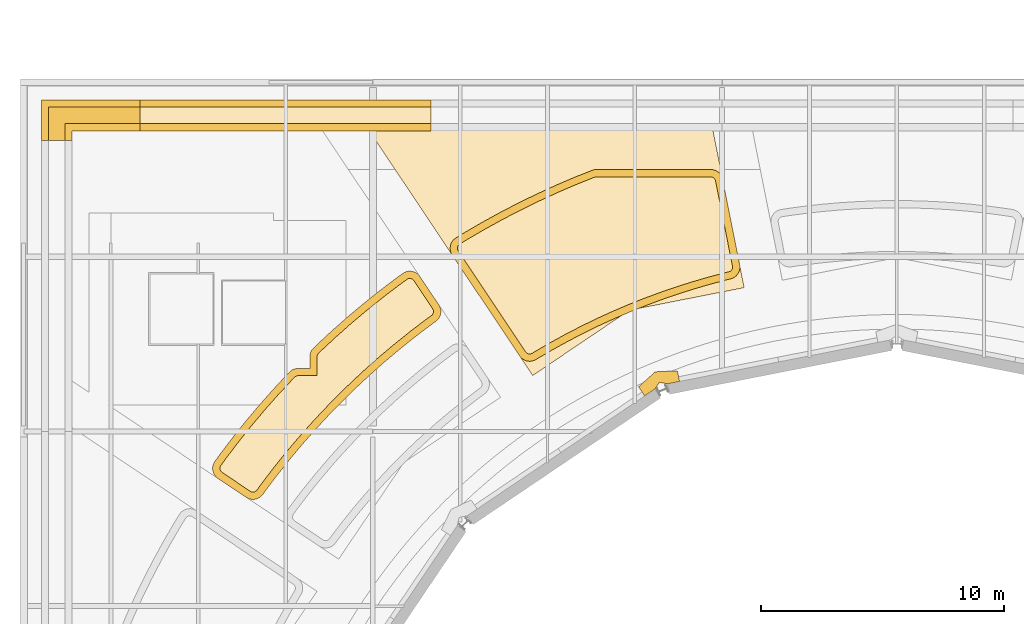
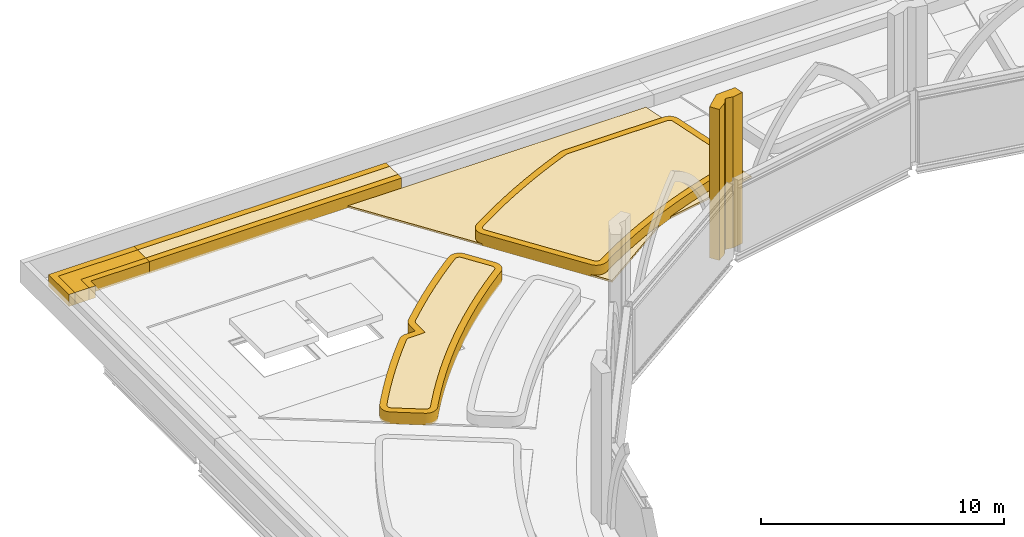
# One storey, part 95 of 110: 12 coverings.
"""IFC4 building model written with IfcOpenShell, lengths in metres."""

from ifc_helpers import new_model, si_unit, direction, frame, origin, place, context, subcontext, project, spatial, polyline, outline, extrude, material, layer, layer_set, type_object, element, save


model = new_model("IFC4")

# Units and contexts
model_context = context("Model", 3, precision=1e-05, world=origin(), true_north=direction((0.0, 1.0)))
body_context = subcontext(model_context, "Body", "Model", "MODEL_VIEW")
ifc_project = project(units=[si_unit("LENGTHUNIT", "METRE"), si_unit("AREAUNIT", "SQUARE_METRE"), si_unit("VOLUMEUNIT", "CUBIC_METRE"), si_unit("PLANEANGLEUNIT", "RADIAN"), si_unit("MASSUNIT", "GRAM", prefix="KILO")], contexts=[model_context])

# Site, building, storey
site_placement = place(None, origin())
site = spatial("IfcSite", under=ifc_project, at=site_placement, CompositionType="ELEMENT")
building_placement = place(site_placement, origin())
building = spatial("IfcBuilding", under=site, at=building_placement, Name="Kupolbacken Congress Centre", CompositionType="ELEMENT")
storey_placement = place(building_placement, frame((0.0, 0.0, 18.0)))
storey = spatial("IfcBuildingStorey", under=building, at=storey_placement, Name="L05", CompositionType="ELEMENT", Elevation=18.0)

# Coverings
ifc_material_1 = material(Name="Limestone cladding", Category="masonry")
ifc_layer_1 = layer(ifc_material_1, 0.60009765625)
ifc_layer_set_1 = layer_set([ifc_layer_1], Name="Limestone cladding")
covering_type_1 = type_object("IfcCoveringType", Name="CV5 limestone arcade pier 600", PredefinedType="CLADDING", material=ifc_layer_set_1)
covering_1_placement = place(storey_placement, origin())
element("IfcCovering", 1, at=covering_1_placement, inside=storey, type_object=covering_type_1, Name="Bed kerb, plenary wing roof", PredefinedType="CLADDING", context=body_context, shape_type="SweptSolid", body=[
    extrude(outline(polyline([(9.202392578125, 120.3974609375), (9.202392578125, 120.0), (8.902587890625, 120.0), (8.902587890625, 120.697509765625), (12.0, 120.697509765625), (12.0, 120.3974609375), (9.202392578125, 120.3974609375)])), origin(), (0.0, 0.0, 1.0), 0.60009765625),
])
covering_2_placement = place(storey_placement, origin())
element("IfcCovering", 2, at=covering_2_placement, inside=storey, type_object=covering_type_1, Name="Bed kerb, plenary wing roof", PredefinedType="CLADDING", context=body_context, shape_type="SweptSolid", body=[
    extrude(outline(polyline([(7.929931640625, 121.669921875), (12.0, 121.669921875), (12.0, 121.3701171875), (8.22998046875, 121.3701171875), (8.22998046875, 120.0), (7.929931640625, 120.0), (7.929931640625, 121.669921875)])), origin(), (0.0, 0.0, 1.0), 0.60009765625),
])
covering_3_placement = place(storey_placement, origin())
element("IfcCovering", 3, at=covering_3_placement, inside=storey, type_object=covering_type_1, Name="Bed kerb, plenary wing roof", PredefinedType="CLADDING", context=body_context, shape_type="SweptSolid", body=[
    extrude(outline(polyline([(12.0, 120.3974609375), (12.0, 120.697509765625), (24.0, 120.697509765625), (24.0, 120.3974609375), (12.0, 120.3974609375)])), origin(), (0.0, 0.0, 1.0), 0.60009765625),
])
covering_4_placement = place(storey_placement, origin())
element("IfcCovering", 4, at=covering_4_placement, inside=storey, type_object=covering_type_1, Name="Bed kerb, plenary wing roof", PredefinedType="CLADDING", context=body_context, shape_type="SweptSolid", body=[
    extrude(outline(polyline([(24.0, 121.669921875), (24.0, 121.3701171875), (12.0, 121.3701171875), (12.0, 121.669921875), (24.0, 121.669921875)])), origin(), (0.0, 0.0, 1.0), 0.60009765625),
])
covering_5_placement = place(storey_placement, origin())
element("IfcCovering", 5, at=covering_5_placement, inside=storey, type_object=covering_type_1, Name="Bed kerb, plenary wing roof", PredefinedType="CLADDING", context=body_context, shape_type="SweptSolid", body=[
    extrude(outline(polyline([(24.84375, 115.318115234375), (24.822509765625, 115.363525390625), (24.8056640625, 115.410888671875), (24.7939453125, 115.459716796875), (24.787109375, 115.509521484375), (24.78515625, 115.5595703125), (24.78857421875, 115.609619140625), (24.796630859375, 115.6591796875), (24.809814453125, 115.707763671875), (24.827880859375, 115.754638671875), (24.850341796875, 115.79931640625), (24.877197265625, 115.841796875), (24.908447265625, 115.88134765625), (24.943115234375, 115.91748046875), (24.9814453125, 115.949951171875), (25.02294921875, 115.978271484375), (25.34521484375, 116.177001953125), (25.355712890625, 116.183349609375), (26.081298828125, 116.606201171875), (26.092041015625, 116.6123046875), (26.827880859375, 117.01708984375), (26.838623046875, 117.02294921875), (27.583984375, 117.40966796875), (27.59521484375, 117.415283203125), (28.349853515625, 117.78369140625), (28.361083984375, 117.788818359375), (29.12451171875, 118.138671875), (29.1357421875, 118.1435546875), (29.90771484375, 118.474609375), (29.9189453125, 118.479248046875), (30.62548828125, 118.76171875), (30.67041015625, 118.77734375), (30.716796875, 118.78857421875), (30.763916015625, 118.795166015625), (30.811279296875, 118.797607421875), (35.530517578125, 118.797607421875), (35.57958984375, 118.795166015625), (35.6279296875, 118.787841796875), (35.675537109375, 118.77587890625), (35.7216796875, 118.759521484375), (35.76611328125, 118.738525390625), (35.80810546875, 118.713134765625), (35.84765625, 118.68408203125), (35.884033203125, 118.65087890625), (35.9169921875, 118.61474609375), (35.9462890625, 118.5751953125), (35.971435546875, 118.533203125), (35.992431640625, 118.48876953125), (36.0087890625, 118.442626953125), (36.020751953125, 118.39501953125), (36.721435546875, 114.872802734375), (36.728515625, 114.825439453125), (36.73095703125, 114.777587890625), (36.72900390625, 114.7294921875), (36.722412109375, 114.68212890625), (36.711181640625, 114.635498046875), (36.695556640625, 114.59033203125), (36.67578125, 114.546630859375), (36.65185546875, 114.505126953125), (36.6240234375, 114.466064453125), (36.592529296875, 114.429931640625), (36.557861328125, 114.39697265625), (36.52001953125, 114.3671875), (36.479736328125, 114.341552734375), (36.43701171875, 114.319580078125), (36.392578125, 114.302001953125), (36.346435546875, 114.288818359375), (36.224609375, 114.259765625), (36.21875, 114.25830078125), (35.54296875, 114.080078125), (35.537109375, 114.07861328125), (34.865966796875, 113.884033203125), (34.860107421875, 113.882080078125), (34.194091796875, 113.671142578125), (34.188232421875, 113.669189453125), (33.527587890625, 113.44189453125), (33.521728515625, 113.43994140625), (32.86669921875, 113.1962890625), (32.861083984375, 113.194091796875), (32.21240234375, 112.934814453125), (32.20654296875, 112.932373046875), (31.564453125, 112.656982421875), (31.558837890625, 112.654541015625), (30.923583984375, 112.36376953125), (30.91796875, 112.361083984375), (30.2900390625, 112.0546875), (30.284423828125, 112.0517578125), (29.664306640625, 111.72998046875), (29.658935546875, 111.72705078125), (29.046875, 111.39013671875), (29.04150390625, 111.38720703125), (28.437744140625, 111.035400390625), (28.4326171875, 111.0322265625), (28.326904296875, 110.967041015625), (28.284912109375, 110.944091796875), (28.240966796875, 110.9248046875), (28.1953125, 110.91015625), (28.148681640625, 110.89990234375), (28.10107421875, 110.89404296875), (28.052978515625, 110.892822265625), (28.00537109375, 110.896240234375), (27.9580078125, 110.904296875), (27.911865234375, 110.916748046875), (27.866943359375, 110.93359375), (27.82373046875, 110.95458984375), (27.782958984375, 110.979736328125), (27.74462890625, 111.008544921875), (27.70947265625, 111.041015625), (27.677490234375, 111.076416015625), (27.64892578125, 111.114990234375), (24.869384765625, 115.27490234375), (24.84375, 115.318115234375)]), holes=[polyline([(27.894287109375, 111.28759765625), (27.909912109375, 111.2666015625), (27.9228515625, 111.252197265625), (27.93701171875, 111.239501953125), (27.9521484375, 111.227783203125), (27.968505859375, 111.2177734375), (27.985595703125, 111.20947265625), (28.003662109375, 111.20263671875), (28.02197265625, 111.19775390625), (28.041015625, 111.194580078125), (28.06005859375, 111.193115234375), (28.0791015625, 111.193603515625), (28.09814453125, 111.196044921875), (28.11669921875, 111.2001953125), (28.135009765625, 111.2060546875), (28.152587890625, 111.213623046875), (28.175537109375, 111.226318359375), (28.276611328125, 111.28857421875), (28.28515625, 111.293701171875), (28.891845703125, 111.647216796875), (28.900390625, 111.652099609375), (29.515869140625, 111.99072265625), (29.5244140625, 111.99560546875), (30.14794921875, 112.31884765625), (30.15673828125, 112.323486328125), (30.7880859375, 112.631591796875), (30.796875, 112.6357421875), (31.435546875, 112.92822265625), (31.444580078125, 112.93212890625), (32.090087890625, 113.208984375), (32.09912109375, 113.212646484375), (32.75146484375, 113.473388671875), (32.760498046875, 113.47705078125), (33.4189453125, 113.7216796875), (33.42822265625, 113.72509765625), (34.09228515625, 113.95361328125), (34.101806640625, 113.95654296875), (34.771240234375, 114.168701171875), (34.78076171875, 114.171630859375), (35.455322265625, 114.3671875), (35.46484375, 114.369873046875), (36.14404296875, 114.548828125), (36.153564453125, 114.55126953125), (36.270263671875, 114.5791015625), (36.29541015625, 114.586181640625), (36.313232421875, 114.59326171875), (36.330322265625, 114.60205078125), (36.346435546875, 114.6123046875), (36.361572265625, 114.6240234375), (36.37548828125, 114.63720703125), (36.387939453125, 114.65185546875), (36.39892578125, 114.66748046875), (36.40869140625, 114.68408203125), (36.41650390625, 114.701416015625), (36.422607421875, 114.719482421875), (36.42724609375, 114.738037109375), (36.4296875, 114.757080078125), (36.4306640625, 114.776123046875), (36.4296875, 114.795166015625), (36.42578125, 114.8212890625), (35.72802734375, 118.329345703125), (35.721435546875, 118.35546875), (35.71484375, 118.373779296875), (35.70654296875, 118.3916015625), (35.6962890625, 118.408447265625), (35.684814453125, 118.424072265625), (35.671630859375, 118.438720703125), (35.656982421875, 118.451904296875), (35.641357421875, 118.46337890625), (35.62451171875, 118.4736328125), (35.606689453125, 118.48193359375), (35.58837890625, 118.488525390625), (35.5693359375, 118.493408203125), (35.550048828125, 118.49609375), (35.523193359375, 118.49755859375), (30.818359375, 118.49755859375), (30.792236328125, 118.496337890625), (30.7734375, 118.49365234375), (30.7548828125, 118.489013671875), (30.730224609375, 118.480712890625), (30.031982421875, 118.201416015625), (30.024169921875, 118.197998046875), (29.255615234375, 117.86865234375), (29.247802734375, 117.864990234375), (28.487548828125, 117.516845703125), (28.479736328125, 117.51318359375), (27.728271484375, 117.146484375), (27.720703125, 117.142578125), (26.978515625, 116.757568359375), (26.970947265625, 116.75341796875), (26.23828125, 116.350341796875), (26.230712890625, 116.345947265625), (25.50830078125, 115.925048828125), (25.5009765625, 115.920654296875), (25.186767578125, 115.726806640625), (25.1640625, 115.711181640625), (25.148681640625, 115.6982421875), (25.134765625, 115.683837890625), (25.122314453125, 115.668212890625), (25.111572265625, 115.651123046875), (25.1025390625, 115.63330078125), (25.095458984375, 115.614501953125), (25.090087890625, 115.59521484375), (25.0869140625, 115.575439453125), (25.085693359375, 115.555419921875), (25.086181640625, 115.535400390625), (25.089111328125, 115.515380859375), (25.09375, 115.49609375), (25.100341796875, 115.47705078125), (25.10888671875, 115.458984375), (25.123046875, 115.435302734375), (27.894287109375, 111.28759765625)])]), origin(), (0.0, 0.0, 1.0), 0.60009765625),
])
covering_6_placement = place(storey_placement, origin())
element("IfcCovering", 6, at=covering_6_placement, inside=storey, type_object=covering_type_1, Name="Bed kerb, plenary wing roof", PredefinedType="CLADDING", context=body_context, shape_type="SweptSolid", body=[
    extrude(outline(polyline([(15.173583984375, 106.0908203125), (15.13671875, 106.124755859375), (15.10302734375, 106.162109375), (15.073486328125, 106.20263671875), (15.048095703125, 106.24609375), (15.027099609375, 106.291748046875), (15.010986328125, 106.339111328125), (14.999755859375, 106.38818359375), (14.993408203125, 106.43798828125), (14.991943359375, 106.48828125), (14.99560546875, 106.5380859375), (15.00439453125, 106.587646484375), (15.017822265625, 106.635986328125), (15.0361328125, 106.682861328125), (15.05908203125, 106.727294921875), (15.086669921875, 106.76953125), (15.30908203125, 107.07763671875), (15.31640625, 107.08740234375), (15.8251953125, 107.755859375), (15.83251953125, 107.765380859375), (16.357421875, 108.421142578125), (16.365234375, 108.4306640625), (16.906005859375, 109.0732421875), (16.913818359375, 109.08251953125), (17.47021484375, 109.7119140625), (17.478515625, 109.720947265625), (18.050048828125, 110.336181640625), (18.05859375, 110.34521484375), (18.15966796875, 110.44873046875), (18.1962890625, 110.482666015625), (18.23583984375, 110.5126953125), (18.2783203125, 110.53857421875), (18.3232421875, 110.560302734375), (18.3701171875, 110.577392578125), (18.41845703125, 110.589599609375), (18.4677734375, 110.596923828125), (18.517578125, 110.599609375), (18.98828125, 110.599609375), (19.0, 110.60009765625), (19.00048828125, 110.61181640625), (19.00048828125, 111.08251953125), (19.0029296875, 111.13232421875), (19.010498046875, 111.181396484375), (19.022705078125, 111.229736328125), (19.039794921875, 111.276611328125), (19.061279296875, 111.321533203125), (19.08740234375, 111.364013671875), (19.117431640625, 111.40380859375), (19.1513671875, 111.4404296875), (19.2548828125, 111.54150390625), (19.263916015625, 111.5498046875), (19.879150390625, 112.12158203125), (19.88818359375, 112.129638671875), (20.517333984375, 112.68603515625), (20.526611328125, 112.694091796875), (21.169189453125, 113.23486328125), (21.1787109375, 113.24267578125), (21.83447265625, 113.767333984375), (21.84423828125, 113.77490234375), (22.5126953125, 114.283447265625), (22.5224609375, 114.290771484375), (22.83056640625, 114.513427734375), (22.87255859375, 114.540771484375), (22.917236328125, 114.563720703125), (22.964111328125, 114.58203125), (23.01220703125, 114.595703125), (23.061767578125, 114.6044921875), (23.11181640625, 114.608154296875), (23.162109375, 114.606689453125), (23.2119140625, 114.600341796875), (23.2607421875, 114.589111328125), (23.308349609375, 114.57275390625), (23.35400390625, 114.552001953125), (23.397216796875, 114.526611328125), (23.43798828125, 114.496826171875), (23.475341796875, 114.46337890625), (23.509033203125, 114.42626953125), (23.5390625, 114.385986328125), (24.3173828125, 113.22119140625), (24.342041015625, 113.18017578125), (24.362548828125, 113.136962890625), (24.37890625, 113.091796875), (24.39111328125, 113.045654296875), (24.3984375, 112.998291015625), (24.401611328125, 112.950439453125), (24.39990234375, 112.902587890625), (24.393798828125, 112.85498046875), (24.3828125, 112.808349609375), (24.367919921875, 112.7626953125), (24.348388671875, 112.718994140625), (24.32470703125, 112.67724609375), (24.29736328125, 112.637939453125), (24.266357421875, 112.6015625), (24.23193359375, 112.568115234375), (24.1943359375, 112.538330078125), (23.94970703125, 112.361328125), (23.944580078125, 112.357666015625), (23.318359375, 111.881103515625), (23.3134765625, 111.877197265625), (22.698974609375, 111.385498046875), (22.694091796875, 111.381591796875), (22.091796875, 110.874755859375), (22.08740234375, 110.870849609375), (21.49755859375, 110.349365234375), (21.4931640625, 110.34521484375), (20.91650390625, 109.8095703125), (20.912109375, 109.805419921875), (20.3486328125, 109.255615234375), (20.34423828125, 109.25146484375), (19.794677734375, 108.68798828125), (19.790283203125, 108.68359375), (19.254638671875, 108.10693359375), (19.25048828125, 108.102294921875), (18.729248046875, 107.5126953125), (18.72509765625, 107.508056640625), (18.218505859375, 106.90576171875), (18.214599609375, 106.901123046875), (17.72265625, 106.28662109375), (17.718994140625, 106.28173828125), (17.242431640625, 105.6552734375), (17.23876953125, 105.650390625), (17.061767578125, 105.405517578125), (17.03173828125, 105.3681640625), (16.99853515625, 105.333740234375), (16.9619140625, 105.302490234375), (16.922607421875, 105.275146484375), (16.881103515625, 105.251708984375), (16.837158203125, 105.232177734375), (16.791748046875, 105.217041015625), (16.7451171875, 105.206298828125), (16.697509765625, 105.2001953125), (16.649658203125, 105.198486328125), (16.601806640625, 105.201416015625), (16.554443359375, 105.208984375), (16.508056640625, 105.220947265625), (16.462890625, 105.2373046875), (16.419921875, 105.258056640625), (16.378662109375, 105.28271484375), (15.214111328125, 106.060791015625), (15.173583984375, 106.0908203125)]), holes=[polyline([(16.539306640625, 105.5361328125), (16.56201171875, 105.522705078125), (16.5791015625, 105.514404296875), (16.59716796875, 105.5078125), (16.61572265625, 105.5029296875), (16.634521484375, 105.5), (16.65380859375, 105.498779296875), (16.6728515625, 105.49951171875), (16.69189453125, 105.501953125), (16.71044921875, 105.506103515625), (16.728515625, 105.51220703125), (16.74609375, 105.52001953125), (16.7626953125, 105.529296875), (16.778564453125, 105.540283203125), (16.793212890625, 105.552734375), (16.806396484375, 105.56640625), (16.82275390625, 105.587158203125), (16.99658203125, 105.82763671875), (17.00244140625, 105.83544921875), (17.481201171875, 106.46484375), (17.4873046875, 106.47265625), (17.9814453125, 107.090087890625), (17.98779296875, 107.09765625), (18.496826171875, 107.70263671875), (18.503173828125, 107.710205078125), (19.027099609375, 108.302490234375), (19.03369140625, 108.309814453125), (19.57177734375, 108.88916015625), (19.57861328125, 108.896240234375), (20.130859375, 109.462158203125), (20.1376953125, 109.468994140625), (20.703857421875, 110.021484375), (20.7109375, 110.0283203125), (21.290283203125, 110.56640625), (21.297607421875, 110.572998046875), (21.889892578125, 111.0966796875), (21.8974609375, 111.103271484375), (22.50244140625, 111.6123046875), (22.510009765625, 111.618408203125), (23.12744140625, 112.11279296875), (23.13525390625, 112.11865234375), (23.764404296875, 112.597412109375), (23.7724609375, 112.603515625), (24.012939453125, 112.777099609375), (24.033447265625, 112.793701171875), (24.047119140625, 112.806884765625), (24.0595703125, 112.821533203125), (24.070556640625, 112.837158203125), (24.080078125, 112.85400390625), (24.087646484375, 112.871337890625), (24.09375, 112.889404296875), (24.09814453125, 112.908203125), (24.1005859375, 112.927001953125), (24.101318359375, 112.9462890625), (24.10009765625, 112.96533203125), (24.096923828125, 112.984375), (24.09228515625, 113.002685546875), (24.085693359375, 113.020751953125), (24.077392578125, 113.0380859375), (24.06396484375, 113.060546875), (23.293701171875, 114.213134765625), (23.27734375, 114.235107421875), (23.263916015625, 114.25), (23.248779296875, 114.263427734375), (23.232666015625, 114.275146484375), (23.21533203125, 114.285400390625), (23.197265625, 114.293701171875), (23.17822265625, 114.30029296875), (23.15869140625, 114.3046875), (23.138916015625, 114.30712890625), (23.118896484375, 114.307861328125), (23.098876953125, 114.306396484375), (23.0791015625, 114.302978515625), (23.059814453125, 114.29736328125), (23.041015625, 114.2900390625), (23.023193359375, 114.281005859375), (23.0, 114.265869140625), (22.69970703125, 114.048583984375), (22.692626953125, 114.043701171875), (22.02734375, 113.537353515625), (22.0205078125, 113.531982421875), (21.36767578125, 113.009521484375), (21.361083984375, 113.004150390625), (20.72119140625, 112.4658203125), (20.714599609375, 112.460205078125), (20.08837890625, 111.90625), (20.081787109375, 111.900390625), (19.46923828125, 111.331298828125), (19.463134765625, 111.325439453125), (19.3662109375, 111.23095703125), (19.34765625, 111.210693359375), (19.33544921875, 111.19482421875), (19.3251953125, 111.177978515625), (19.31640625, 111.159912109375), (19.309814453125, 111.141357421875), (19.3046875, 111.1220703125), (19.302001953125, 111.102294921875), (19.300537109375, 111.074951171875), (19.300537109375, 110.6044921875), (19.2861328125, 110.313720703125), (18.99560546875, 110.299560546875), (18.52490234375, 110.299560546875), (18.49755859375, 110.298095703125), (18.47802734375, 110.295166015625), (18.458740234375, 110.290283203125), (18.43994140625, 110.283447265625), (18.422119140625, 110.27490234375), (18.405029296875, 110.264404296875), (18.38916015625, 110.25244140625), (18.369140625, 110.23388671875), (18.274658203125, 110.136962890625), (18.268798828125, 110.130615234375), (17.69970703125, 109.51806640625), (17.69384765625, 109.51171875), (17.139892578125, 108.88525390625), (17.13427734375, 108.87890625), (16.595947265625, 108.239013671875), (16.590576171875, 108.232421875), (16.068115234375, 107.57958984375), (16.062744140625, 107.57275390625), (15.556396484375, 106.9072265625), (15.55126953125, 106.900390625), (15.333984375, 106.599853515625), (15.319091796875, 106.576904296875), (15.309814453125, 106.558837890625), (15.302490234375, 106.540283203125), (15.297119140625, 106.52099609375), (15.293701171875, 106.501220703125), (15.292236328125, 106.481201171875), (15.292724609375, 106.461181640625), (15.29541015625, 106.44140625), (15.2998046875, 106.421875), (15.306396484375, 106.40283203125), (15.314697265625, 106.384521484375), (15.32470703125, 106.3671875), (15.336669921875, 106.35107421875), (15.35009765625, 106.336181640625), (15.36474609375, 106.322509765625), (15.386962890625, 106.30615234375), (16.539306640625, 105.5361328125)])]), origin(), (0.0, 0.0, 1.0), 0.60009765625),
])
ifc_material_2 = material(Name="Limestone cladding", Category="masonry")
ifc_layer_2 = layer(ifc_material_2, 0.5)
ifc_layer_set_2 = layer_set([ifc_layer_2], Name="Limestone cladding")
covering_type_2 = type_object("IfcCoveringType", Name="CV8 limestone drum pier 500", PredefinedType="CLADDING", material=ifc_layer_set_2)
covering_7_placement = place(storey_placement, origin())
element("IfcCovering", 7, at=covering_7_placement, inside=storey, type_object=covering_type_2, Name="F/drum/pier-lo/12/0", PredefinedType="CLADDING", context=body_context, shape_type="SweptSolid", body=[
    extrude(outline(polyline([(34.156494140625, 110.502197265625), (33.236083984375, 110.4580078125), (32.553466796875, 109.8359375), (32.80517578125, 109.462890625), (33.2197265625, 109.742431640625), (33.416015625, 110.023681640625), (33.752685546875, 109.964111328125), (34.243408203125, 110.060791015625), (34.156494140625, 110.502197265625)])), origin(), (0.0, 0.0, 1.0), 7.60009765625),
])
ifc_material_3 = material(Name="Grass", Category="soil")
ifc_layer_3 = layer(ifc_material_3, 0.10009765625)
ifc_layer_set_3 = layer_set([ifc_layer_3], Name="Grass")
covering_type_3 = type_object("IfcCoveringType", Name="GR2 grass surface 100", PredefinedType="FLOORING", material=ifc_layer_set_3)
covering_8_placement = place(storey_placement, origin())
element("IfcCovering", 8, at=covering_8_placement, inside=storey, type_object=covering_type_3, Name="Green roof, plenary wing roof", PredefinedType="FLOORING", context=body_context, shape_type="SweptSolid", body=[
    extrude(outline(polyline([(21.445556640625, 120.3994140625), (35.622314453125, 120.3994140625), (36.9091796875, 113.92919921875), (32.178955078125, 112.997802734375), (28.189697265625, 110.3056640625), (21.445556640625, 120.3994140625)])), origin(), (0.0, 0.0, 1.0), 0.10009765625),
])
ifc_material_4 = material(Name="Planting substrate", Category="soil")
ifc_layer_4 = layer(ifc_material_4, 0.60009765625)
ifc_layer_set_4 = layer_set([ifc_layer_4], Name="Planting substrate")
covering_type_4 = type_object("IfcCoveringType", Name="GR8 planting substrate 600", PredefinedType="FLOORING", material=ifc_layer_set_4)
covering_9_placement = place(storey_placement, origin())
element("IfcCovering", 9, at=covering_9_placement, inside=storey, type_object=covering_type_4, Name="Planting bed, plenary wing roof", PredefinedType="FLOORING", context=body_context, shape_type="SweptSolid", body=[
    extrude(outline(polyline([(8.22998046875, 121.3701171875), (12.0, 121.3701171875), (12.0, 120.697509765625), (8.902587890625, 120.697509765625), (8.902587890625, 120.0), (8.22998046875, 120.0), (8.22998046875, 121.3701171875)])), origin(), (0.0, 0.0, 1.0), 0.60009765625),
])
covering_10_placement = place(storey_placement, origin())
element("IfcCovering", 10, at=covering_10_placement, inside=storey, type_object=covering_type_4, Name="Planting bed, plenary wing roof", PredefinedType="FLOORING", context=body_context, shape_type="SweptSolid", body=[
    extrude(outline(polyline([(24.0, 121.3701171875), (24.0, 120.697509765625), (12.0, 120.697509765625), (12.0, 121.3701171875), (24.0, 121.3701171875)])), origin(), (0.0, 0.0, 1.0), 0.60009765625),
])
covering_11_placement = place(storey_placement, origin())
element("IfcCovering", 11, at=covering_11_placement, inside=storey, type_object=covering_type_4, Name="Planting bed, plenary wing roof", PredefinedType="FLOORING", context=body_context, shape_type="SweptSolid", body=[
    extrude(outline(polyline([(25.123046875, 115.435302734375), (25.10888671875, 115.458984375), (25.100341796875, 115.47705078125), (25.09375, 115.49609375), (25.089111328125, 115.515380859375), (25.086181640625, 115.535400390625), (25.085693359375, 115.555419921875), (25.0869140625, 115.575439453125), (25.090087890625, 115.59521484375), (25.095458984375, 115.614501953125), (25.1025390625, 115.63330078125), (25.111572265625, 115.651123046875), (25.122314453125, 115.668212890625), (25.134765625, 115.683837890625), (25.148681640625, 115.6982421875), (25.1640625, 115.711181640625), (25.186767578125, 115.726806640625), (25.5009765625, 115.920654296875), (25.50830078125, 115.925048828125), (26.230712890625, 116.345947265625), (26.23828125, 116.350341796875), (26.970947265625, 116.75341796875), (26.978515625, 116.757568359375), (27.720703125, 117.142578125), (27.728271484375, 117.146484375), (28.479736328125, 117.51318359375), (28.487548828125, 117.516845703125), (29.247802734375, 117.864990234375), (29.255615234375, 117.86865234375), (30.024169921875, 118.197998046875), (30.031982421875, 118.201416015625), (30.730224609375, 118.480712890625), (30.7548828125, 118.489013671875), (30.7734375, 118.49365234375), (30.792236328125, 118.496337890625), (30.818359375, 118.49755859375), (35.523193359375, 118.49755859375), (35.550048828125, 118.49609375), (35.5693359375, 118.493408203125), (35.58837890625, 118.488525390625), (35.606689453125, 118.48193359375), (35.62451171875, 118.4736328125), (35.641357421875, 118.46337890625), (35.656982421875, 118.451904296875), (35.671630859375, 118.438720703125), (35.684814453125, 118.424072265625), (35.6962890625, 118.408447265625), (35.70654296875, 118.3916015625), (35.71484375, 118.373779296875), (35.721435546875, 118.35546875), (35.72802734375, 118.329345703125), (36.42578125, 114.8212890625), (36.4296875, 114.795166015625), (36.4306640625, 114.776123046875), (36.4296875, 114.757080078125), (36.42724609375, 114.738037109375), (36.422607421875, 114.719482421875), (36.41650390625, 114.701416015625), (36.40869140625, 114.68408203125), (36.39892578125, 114.66748046875), (36.387939453125, 114.65185546875), (36.37548828125, 114.63720703125), (36.361572265625, 114.6240234375), (36.346435546875, 114.6123046875), (36.330322265625, 114.60205078125), (36.313232421875, 114.59326171875), (36.29541015625, 114.586181640625), (36.270263671875, 114.5791015625), (36.153564453125, 114.55126953125), (36.14404296875, 114.548828125), (35.46484375, 114.369873046875), (35.455322265625, 114.3671875), (34.78076171875, 114.171630859375), (34.771240234375, 114.168701171875), (34.101806640625, 113.95654296875), (34.09228515625, 113.95361328125), (33.42822265625, 113.72509765625), (33.4189453125, 113.7216796875), (32.760498046875, 113.47705078125), (32.75146484375, 113.473388671875), (32.09912109375, 113.212646484375), (32.090087890625, 113.208984375), (31.444580078125, 112.93212890625), (31.435546875, 112.92822265625), (30.796875, 112.6357421875), (30.7880859375, 112.631591796875), (30.15673828125, 112.323486328125), (30.14794921875, 112.31884765625), (29.5244140625, 111.99560546875), (29.515869140625, 111.99072265625), (28.900390625, 111.652099609375), (28.891845703125, 111.647216796875), (28.28515625, 111.293701171875), (28.276611328125, 111.28857421875), (28.175537109375, 111.226318359375), (28.152587890625, 111.213623046875), (28.135009765625, 111.2060546875), (28.11669921875, 111.2001953125), (28.09814453125, 111.196044921875), (28.0791015625, 111.193603515625), (28.06005859375, 111.193115234375), (28.041015625, 111.194580078125), (28.02197265625, 111.19775390625), (28.003662109375, 111.20263671875), (27.985595703125, 111.20947265625), (27.968505859375, 111.2177734375), (27.9521484375, 111.227783203125), (27.93701171875, 111.239501953125), (27.9228515625, 111.252197265625), (27.909912109375, 111.2666015625), (27.894287109375, 111.28759765625), (25.123046875, 115.435302734375)])), origin(), (0.0, 0.0, 1.0), 0.60009765625),
])
covering_12_placement = place(storey_placement, origin())
element("IfcCovering", 12, at=covering_12_placement, inside=storey, type_object=covering_type_4, Name="Planting bed, plenary wing roof", PredefinedType="FLOORING", context=body_context, shape_type="SweptSolid", body=[
    extrude(outline(polyline([(15.386962890625, 106.30615234375), (15.36474609375, 106.322509765625), (15.35009765625, 106.336181640625), (15.336669921875, 106.35107421875), (15.32470703125, 106.3671875), (15.314697265625, 106.384521484375), (15.306396484375, 106.40283203125), (15.2998046875, 106.421875), (15.29541015625, 106.44140625), (15.292724609375, 106.461181640625), (15.292236328125, 106.481201171875), (15.293701171875, 106.501220703125), (15.297119140625, 106.52099609375), (15.302490234375, 106.540283203125), (15.309814453125, 106.558837890625), (15.319091796875, 106.576904296875), (15.333984375, 106.599853515625), (15.55126953125, 106.900390625), (15.556396484375, 106.9072265625), (16.062744140625, 107.57275390625), (16.068115234375, 107.57958984375), (16.590576171875, 108.232421875), (16.595947265625, 108.239013671875), (17.13427734375, 108.87890625), (17.139892578125, 108.88525390625), (17.69384765625, 109.51171875), (17.69970703125, 109.51806640625), (18.268798828125, 110.130615234375), (18.274658203125, 110.136962890625), (18.369140625, 110.23388671875), (18.38916015625, 110.25244140625), (18.405029296875, 110.264404296875), (18.422119140625, 110.27490234375), (18.43994140625, 110.283447265625), (18.458740234375, 110.290283203125), (18.47802734375, 110.295166015625), (18.49755859375, 110.298095703125), (18.52490234375, 110.299560546875), (18.99560546875, 110.299560546875), (19.2861328125, 110.313720703125), (19.300537109375, 110.6044921875), (19.300537109375, 111.074951171875), (19.302001953125, 111.102294921875), (19.3046875, 111.1220703125), (19.309814453125, 111.141357421875), (19.31640625, 111.159912109375), (19.3251953125, 111.177978515625), (19.33544921875, 111.19482421875), (19.34765625, 111.210693359375), (19.3662109375, 111.23095703125), (19.463134765625, 111.325439453125), (19.46923828125, 111.331298828125), (20.081787109375, 111.900390625), (20.08837890625, 111.90625), (20.714599609375, 112.460205078125), (20.72119140625, 112.4658203125), (21.361083984375, 113.004150390625), (21.36767578125, 113.009521484375), (22.0205078125, 113.531982421875), (22.02734375, 113.537353515625), (22.692626953125, 114.043701171875), (22.69970703125, 114.048583984375), (23.0, 114.265869140625), (23.023193359375, 114.281005859375), (23.041015625, 114.2900390625), (23.059814453125, 114.29736328125), (23.0791015625, 114.302978515625), (23.098876953125, 114.306396484375), (23.118896484375, 114.307861328125), (23.138916015625, 114.30712890625), (23.15869140625, 114.3046875), (23.17822265625, 114.30029296875), (23.197265625, 114.293701171875), (23.21533203125, 114.285400390625), (23.232666015625, 114.275146484375), (23.248779296875, 114.263427734375), (23.263916015625, 114.25), (23.27734375, 114.235107421875), (23.293701171875, 114.213134765625), (24.06396484375, 113.060546875), (24.077392578125, 113.0380859375), (24.085693359375, 113.020751953125), (24.09228515625, 113.002685546875), (24.096923828125, 112.984375), (24.10009765625, 112.96533203125), (24.101318359375, 112.9462890625), (24.1005859375, 112.927001953125), (24.09814453125, 112.908203125), (24.09375, 112.889404296875), (24.087646484375, 112.871337890625), (24.080078125, 112.85400390625), (24.070556640625, 112.837158203125), (24.0595703125, 112.821533203125), (24.047119140625, 112.806884765625), (24.033447265625, 112.793701171875), (24.012939453125, 112.777099609375), (23.7724609375, 112.603515625), (23.764404296875, 112.597412109375), (23.13525390625, 112.11865234375), (23.12744140625, 112.11279296875), (22.510009765625, 111.618408203125), (22.50244140625, 111.6123046875), (21.8974609375, 111.103271484375), (21.889892578125, 111.0966796875), (21.297607421875, 110.572998046875), (21.290283203125, 110.56640625), (20.7109375, 110.0283203125), (20.703857421875, 110.021484375), (20.1376953125, 109.468994140625), (20.130859375, 109.462158203125), (19.57861328125, 108.896240234375), (19.57177734375, 108.88916015625), (19.03369140625, 108.309814453125), (19.027099609375, 108.302490234375), (18.503173828125, 107.710205078125), (18.496826171875, 107.70263671875), (17.98779296875, 107.09765625), (17.9814453125, 107.090087890625), (17.4873046875, 106.47265625), (17.481201171875, 106.46484375), (17.00244140625, 105.83544921875), (16.99658203125, 105.82763671875), (16.82275390625, 105.587158203125), (16.806396484375, 105.56640625), (16.793212890625, 105.552734375), (16.778564453125, 105.540283203125), (16.7626953125, 105.529296875), (16.74609375, 105.52001953125), (16.728515625, 105.51220703125), (16.71044921875, 105.506103515625), (16.69189453125, 105.501953125), (16.6728515625, 105.49951171875), (16.65380859375, 105.498779296875), (16.634521484375, 105.5), (16.61572265625, 105.5029296875), (16.59716796875, 105.5078125), (16.5791015625, 105.514404296875), (16.56201171875, 105.522705078125), (16.539306640625, 105.5361328125), (15.386962890625, 106.30615234375)])), origin(), (0.0, 0.0, 1.0), 0.60009765625),
])

save(model, "model.ifc")
